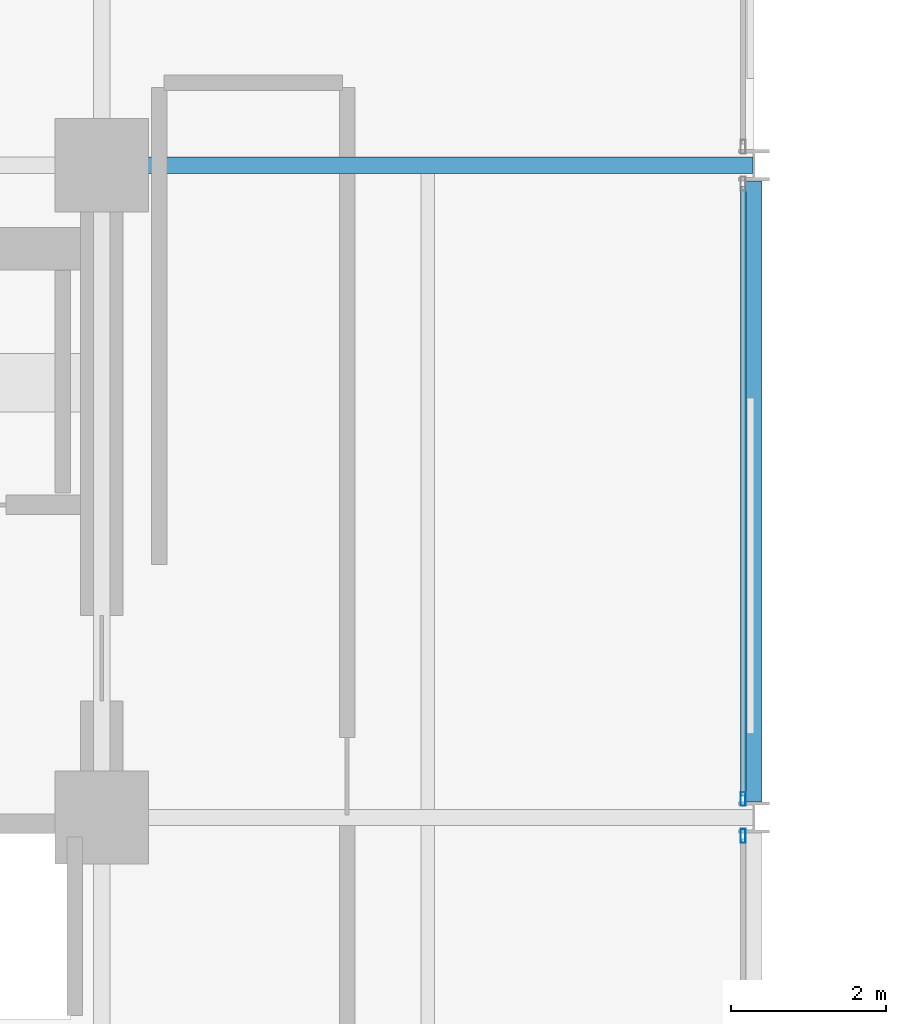
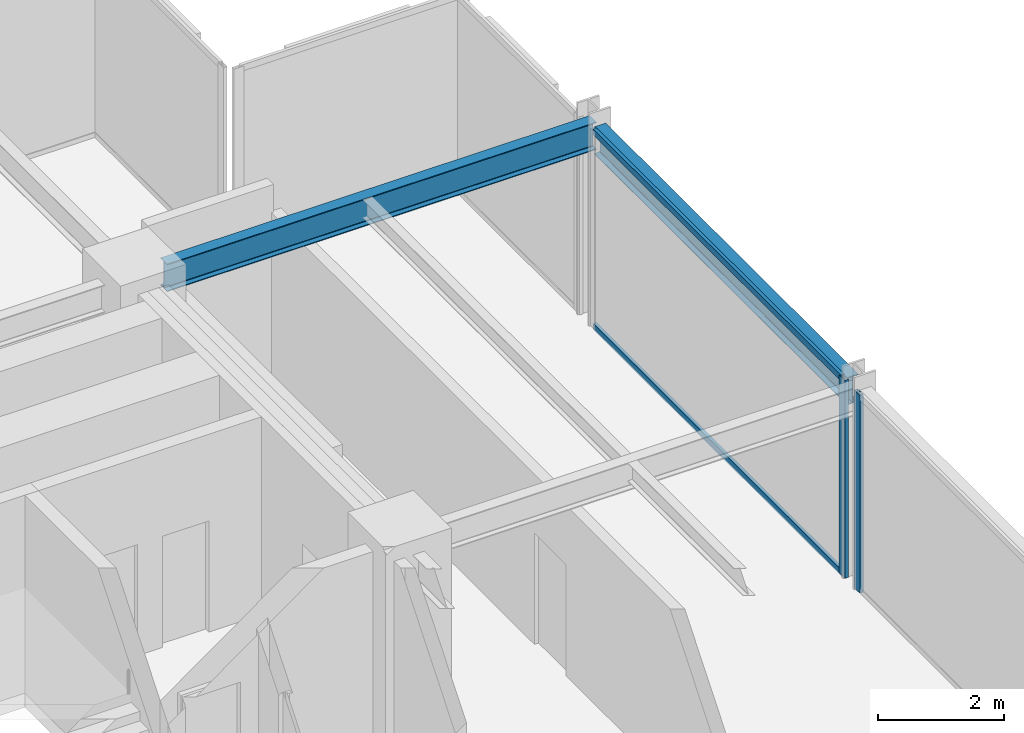
# One storey, part 27 of 38: 4 members, 2 beams, 2 elements without a shape of their own.
"""IFC4 building model written with IfcOpenShell, lengths in metres."""

from ifc_helpers import new_model, si_unit, direction, frame, origin, origin_2d, place, context, subcontext, project, spatial, hollow_rectangle, i_section, extrude, material, layer, layer_set, material_profile, profile_set, type_object, element, aggregate, save


model = new_model("IFC4")

# Units and contexts
model_context = context("Model", 3, precision=1e-05, world=origin(), true_north=direction((0.0, 1.0)))
body_context = subcontext(model_context, "Body", "Model", "MODEL_VIEW")
ifc_project = project(units=[si_unit("LENGTHUNIT", "METRE"), si_unit("AREAUNIT", "SQUARE_METRE"), si_unit("VOLUMEUNIT", "CUBIC_METRE"), si_unit("PLANEANGLEUNIT", "RADIAN"), si_unit("MASSUNIT", "GRAM", prefix="KILO")], contexts=[model_context])

# Site, building, storey
site_placement = place(None, origin())
site = spatial("IfcSite", under=ifc_project, at=site_placement, CompositionType="ELEMENT")
building_placement = place(site_placement, origin())
building = spatial("IfcBuilding", under=site, at=building_placement, Name="Nerrivon Quay Data Exchange", CompositionType="ELEMENT")
storey_placement = place(building_placement, frame((0.0, 0.0, 100.800048828125)))
storey = spatial("IfcBuildingStorey", under=building, at=storey_placement, Name="L23", CompositionType="ELEMENT", Elevation=100.800048828125)

# Beams
ifc_material_1 = material(Name="Steel Grade 350", Category="steel")
ifc_material_profile_1 = material_profile(ifc_material_1, i_section(OverallWidth=0.208984375, OverallDepth=0.532958984375, WebThickness=0.01025390625, FlangeThickness=0.015625, FilletRadius=0.013916015625, at=origin_2d()), Name="530UB92.4")
ifc_profile_set_1 = profile_set([ifc_material_profile_1], Name="Steel Grade 350")
beam_type_1 = type_object("IfcBeamType", Name="BM-G3-530UB92", PredefinedType="BEAM", material=ifc_profile_set_1)
beam_1_placement = place(storey_placement, frame((17.340087890625, 42.0, 3.558349609375), z_axis=(1.0, 0.0, 0.0), x_axis=(0.0, 1.0, 0.0)))
element("IfcBeam", 1, at=beam_1_placement, inside=storey, type_object=beam_type_1, Name="L23 EW Girder Y=42.0 (16.8..25.2)", PredefinedType="BEAM", context=body_context, shape_type="SweptSolid", body=[
    extrude(i_section(OverallWidth=0.208984375, OverallDepth=0.532958984375, WebThickness=0.01025390625, FlangeThickness=0.015625, FilletRadius=0.013916015625, at=origin_2d()), origin(), (0.0, 0.0, 1.0), 7.847412109375),
])
ifc_material_profile_2 = material_profile(ifc_material_1, i_section(OverallWidth=0.208984375, OverallDepth=0.528076171875, WebThickness=0.009521484375, FlangeThickness=0.01318359375, FilletRadius=0.013916015625, at=origin_2d()), Name="530UB82.0")
ifc_profile_set_2 = profile_set([ifc_material_profile_2], Name="Steel Grade 350")
beam_type_2 = type_object("IfcBeamType", Name="BM-G4-530UB82", PredefinedType="BEAM", material=ifc_profile_set_2)
beam_2_placement = place(storey_placement, frame((25.199951171875, 33.800048828125, 3.56103515625), z_axis=(0.0, 1.0, 0.0), x_axis=(-1.0, 0.0, 0.0)))
element("IfcBeam", 2, at=beam_2_placement, inside=storey, type_object=beam_type_2, Name="L23 NS Girder X=25.2 (33.6..42.0)", PredefinedType="BEAM", context=body_context, shape_type="SweptSolid", body=[
    extrude(i_section(OverallWidth=0.208984375, OverallDepth=0.528076171875, WebThickness=0.009521484375, FlangeThickness=0.01318359375, FilletRadius=0.013916015625, at=origin_2d()), origin(), (0.0, 0.0, 1.0), 8.0),
])

# Curtain wall, member
ifc_material_2 = material(Name="Anodised aluminium 6063-T6", Category="aluminium")
ifc_layer = layer(ifc_material_2, 0.2099609375)
ifc_layer_set = layer_set([ifc_layer], Name="Anodised aluminium 6063-T6")
curtain_wall_type = type_object("IfcCurtainWallType", Name="CW-SYS-02", PredefinedType="NOTDEFINED", material=ifc_layer_set)
curtain_wall_1_placement = place(storey_placement, origin())
curtain_wall_1 = element("IfcCurtainWall", 3, at=curtain_wall_1_placement, inside=storey, type_object=curtain_wall_type, Name="L23 Unitised Curtain Wall 30", PredefinedType="NOTDEFINED")
ifc_material_profile_3 = material_profile(ifc_material_2, hollow_rectangle(XDim=0.06494140625, YDim=0.179931640625, WallThickness=0.00341796875, at=origin_2d()), Name="ALU-MULL-180x65")
ifc_profile_set_3 = profile_set([ifc_material_profile_3], Name="Anodised aluminium 6063-T6")
member_type_1 = type_object("IfcMemberType", Name="CWM-180x65", PredefinedType="MULLION", material=ifc_profile_set_3)
member_1_placement = place(storey_placement, frame((25.06005859375, 33.83740234375, 0.0), z_axis=(0.0, 0.0, 1.0), x_axis=(1.0, 0.0, 0.0)))
member_1 = element("IfcMember", 4, at=member_1_placement, type_object=member_type_1, Name="CW02 mullion 2", PredefinedType="MULLION", context=body_context, shape_type="SweptSolid", body=[
    extrude(hollow_rectangle(XDim=0.06494140625, YDim=0.179931640625, WallThickness=0.00341796875, at=origin_2d()), origin(), (0.0, 0.0, 1.0), 3.824951171875),
])

curtain_wall_2_placement = place(storey_placement, origin())
curtain_wall_2 = element("IfcCurtainWall", 5, at=curtain_wall_2_placement, inside=storey, type_object=curtain_wall_type, Name="L23 Unitised Curtain Wall 31", PredefinedType="NOTDEFINED")
member_2_placement = place(storey_placement, frame((25.06005859375, 33.362548828125, 0.0), z_axis=(0.0, 0.0, 1.0), x_axis=(1.0, 0.0, 0.0)))
member_2 = element("IfcMember", 6, at=member_2_placement, type_object=member_type_1, Name="CW02 mullion 1", PredefinedType="MULLION", context=body_context, shape_type="SweptSolid", body=[
    extrude(hollow_rectangle(XDim=0.06494140625, YDim=0.179931640625, WallThickness=0.00341796875, at=origin_2d()), origin(), (0.0, 0.0, 1.0), 3.824951171875),
])
aggregate(curtain_wall_2, [member_2])

# Member
ifc_material_profile_4 = material_profile(ifc_material_2, hollow_rectangle(XDim=0.06005859375, YDim=0.1201171875, WallThickness=0.003173828125, at=origin_2d()), Name="ALU-TRAN-120x60")
ifc_profile_set_4 = profile_set([ifc_material_profile_4], Name="Anodised aluminium 6063-T6")
member_type_2 = type_object("IfcMemberType", Name="CWT-120x60", PredefinedType="USERDEFINED", material=ifc_profile_set_4)
member_3_placement = place(storey_placement, frame((25.06005859375, 41.72509765625, 0.032470703125), z_axis=(0.0, -1.0, 0.0), x_axis=(1.0, 0.0, 0.0)))
member_3 = element("IfcMember", 7, at=member_3_placement, type_object=member_type_2, Name="CW02 transom 1.1", ObjectType="TRANSOM", PredefinedType="USERDEFINED", context=body_context, shape_type="SweptSolid", body=[
    extrude(hollow_rectangle(XDim=0.06005859375, YDim=0.1201171875, WallThickness=0.003173828125, at=origin_2d()), origin(), (0.0, 0.0, 1.0), 7.85009765625),
])

member_4_placement = place(storey_placement, frame((25.06005859375, 41.72509765625, 3.79248046875), z_axis=(0.0, -1.0, 0.0), x_axis=(1.0, 0.0, 0.0)))
member_4 = element("IfcMember", 8, at=member_4_placement, type_object=member_type_2, Name="CW02 transom 1.2", ObjectType="TRANSOM", PredefinedType="USERDEFINED", context=body_context, shape_type="SweptSolid", body=[
    extrude(hollow_rectangle(XDim=0.06005859375, YDim=0.1201171875, WallThickness=0.003173828125, at=origin_2d()), origin(), (0.0, 0.0, 1.0), 7.85009765625),
])

aggregate(curtain_wall_1, [member_1, member_3, member_4])

save(model, "model.ifc")
